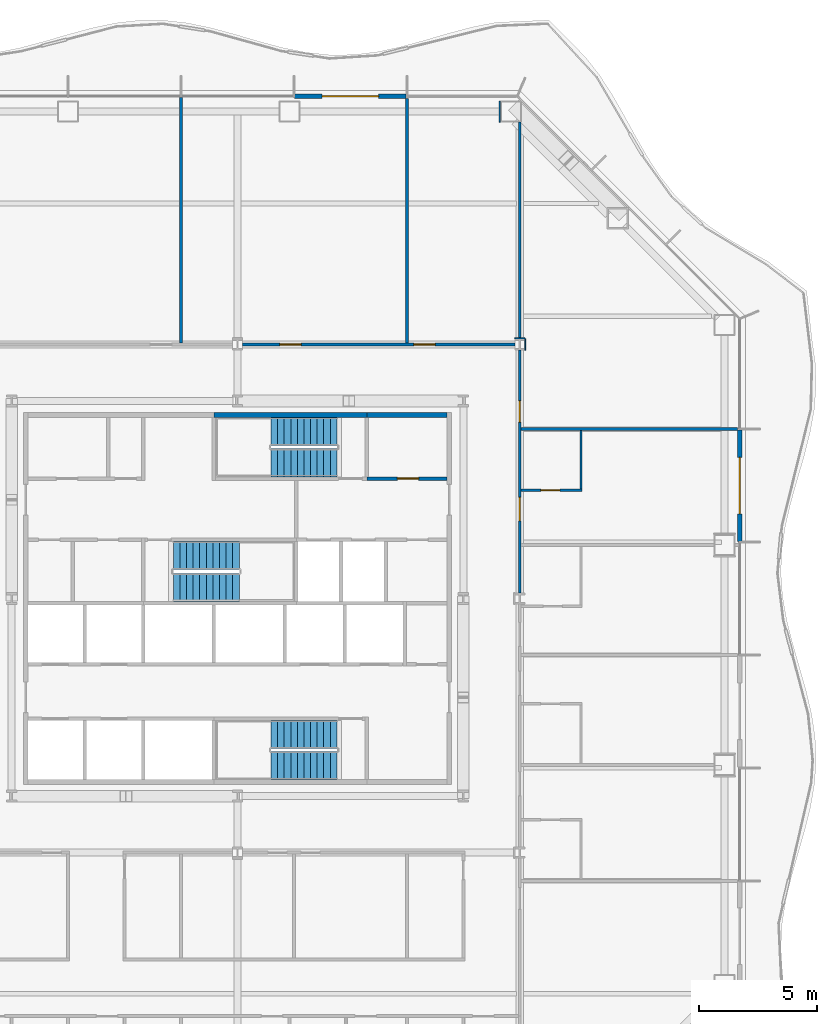
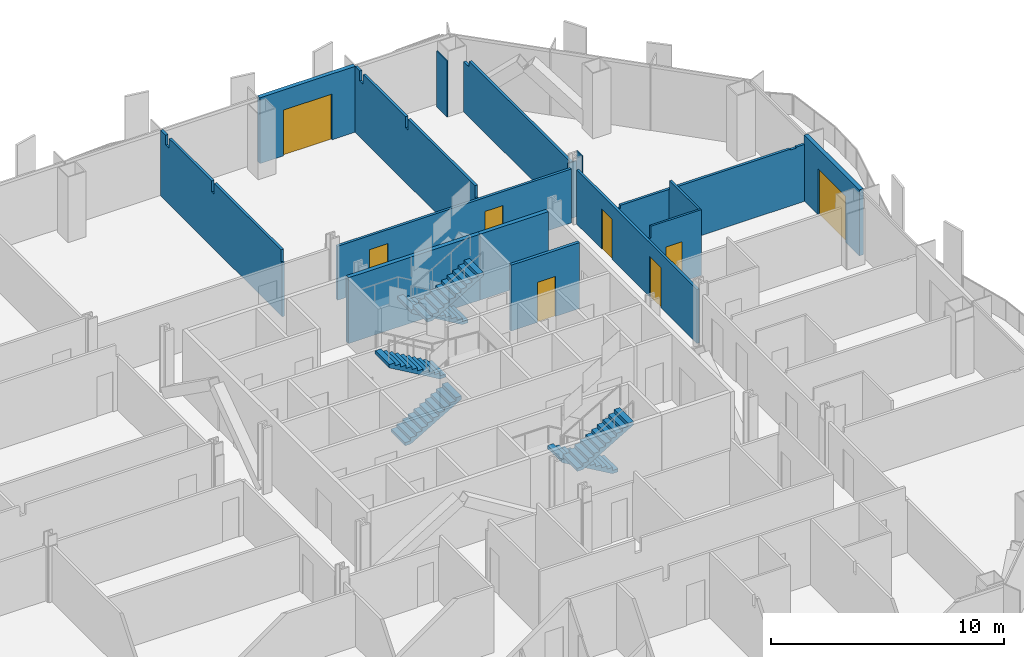
# One storey, part 13 of 20: 16 walls, 8 doors, 6 stair flights, 8 openings, 3 elements without a shape of their own.
"""IFC4 building model written with IfcOpenShell, lengths in metres."""

from ifc_helpers import new_model, si_unit, direction, frame, frame_2d, origin, place, context, subcontext, project, spatial, polyline, rectangle, outline, extrude, material, layer, layer_set, type_object, element, fill, aggregate, save


model = new_model("IFC4")

# Units and contexts
model_context = context("Model", 3, precision=1e-05, world=origin(), true_north=direction((0.0, 1.0)))
body_context = subcontext(model_context, "Body", "Model", "MODEL_VIEW")
ifc_project = project(units=[si_unit("LENGTHUNIT", "METRE"), si_unit("AREAUNIT", "SQUARE_METRE"), si_unit("VOLUMEUNIT", "CUBIC_METRE"), si_unit("PLANEANGLEUNIT", "RADIAN"), si_unit("MASSUNIT", "GRAM", prefix="KILO")], contexts=[model_context])

# Site, building, storey
site_placement = place(None, origin())
site = spatial("IfcSite", under=ifc_project, at=site_placement, CompositionType="ELEMENT")
building_placement = place(site_placement, origin())
building = spatial("IfcBuilding", under=site, at=building_placement, Name="Cairn Pilgrim Tower", CompositionType="ELEMENT")
storey_placement = place(building_placement, frame((0.0, 0.0, 83.39990234375)))
storey = spatial("IfcBuildingStorey", under=building, at=storey_placement, Name="L19", CompositionType="ELEMENT", Elevation=83.39990234375)

# Wall, opening, door
ifc_material_1 = material(Name="Bronze anodised aluminium insulated sandwich panel with mineral wool fill", Category="aluminium")
ifc_layer_1 = layer(ifc_material_1, 0.199951171875)
ifc_layer_set_1 = layer_set([ifc_layer_1], Name="BRONZE INFILL FRAME WALL 200")
wall_type_1 = type_object("IfcWallType", Name="BRONZE INFILL FRAME WALL 200", PredefinedType="NOTDEFINED", material=ifc_layer_set_1)
wall_1_placement = place(storey_placement, frame((28.550048828125, 4.830078125, 0.0), z_axis=(0.0, 0.0, 1.0), x_axis=(0.0, 1.0, 0.0)))
wall_1 = element("IfcWall", 1, at=wall_1_placement, inside=storey, type_object=wall_type_1, Name="Bronze infill frame wall IW-E5", PredefinedType="NOTDEFINED", context=body_context, shape_type="SweptSolid", body=[
    extrude(rectangle(XDim=4.739990234375, YDim=0.199951171875, at=frame_2d((2.3701171875, 0.0))), origin(), (0.0, 0.0, 1.0), 3.4501953125),
])
opening_1_placement = place(wall_1_placement, frame((1.169921875, 0.0, 0.0)))
opening_1 = element("IfcOpeningElement", 2, at=opening_1_placement, cuts=wall_1, Name="Opening 1924B", PredefinedType="OPENING", context=body_context, shape_type="SweptSolid", body=[
    extrude(rectangle(XDim=2.39990234375, YDim=2.39990234375, at=frame_2d((1.199951171875, 1.199951171875))), frame((0.0, 0.10986328125, 0.0), z_axis=(0.0, -1.0, 0.0), x_axis=(1.0, 0.0, 0.0)), (0.0, 0.0, 1.0), 0.219970703125),
])
ifc_material_2 = material(Name="Bronze anodised aluminium frame with tinted low-E glass", Category="aluminium")
door_type_1 = type_object("IfcDoorType", Name="BALCONY SLIDING DOOR 2400x2400", OperationType="DOUBLE_DOOR_SLIDING", PredefinedType="DOOR", material=ifc_material_2)
door_1_placement = place(opening_1_placement, origin())
door_1 = element("IfcDoor", 3, at=door_1_placement, inside=storey, type_object=door_type_1, Name="Balcony sliding door 1924B", OperationType="SINGLE_SWING_LEFT", OverallHeight=2.39990234375, OverallWidth=2.39990234375, PredefinedType="DOOR", context=body_context, shape_type="SweptSolid", body=[
    extrude(rectangle(XDim=2.39990234375, YDim=2.39990234375, at=frame_2d((1.199951171875, 1.199951171875))), frame((0.0, 0.02490234375, 0.0), z_axis=(0.0, -1.0, 0.0), x_axis=(1.0, 0.0, 0.0)), (0.0, 0.0, 1.0), 0.050048828125),
])
fill(opening_1, door_1)

wall_2_placement = place(storey_placement, frame((14.3701171875, 23.75, 0.0), z_axis=(0.0, 0.0, 1.0), x_axis=(-1.0, 0.0, 0.0)))
wall_2 = element("IfcWall", 4, at=wall_2_placement, inside=storey, type_object=wall_type_1, Name="Bronze infill frame wall IW-N2", PredefinedType="NOTDEFINED", context=body_context, shape_type="SweptSolid", body=[
    extrude(rectangle(XDim=4.740234375, YDim=0.199951171875, at=frame_2d((2.3701171875, 0.0))), origin(), (0.0, 0.0, 1.0), 3.4501953125),
])
opening_2_placement = place(wall_2_placement, frame((1.169921875, 0.0, 0.0)))
opening_2 = element("IfcOpeningElement", 5, at=opening_2_placement, cuts=wall_2, Name="Opening 1918B", PredefinedType="OPENING", context=body_context, shape_type="SweptSolid", body=[
    extrude(rectangle(XDim=2.39990234375, YDim=2.39990234375, at=frame_2d((1.199951171875, 1.199951171875))), frame((0.0, 0.10986328125, 0.0), z_axis=(0.0, -1.0, 0.0), x_axis=(1.0, 0.0, 0.0)), (0.0, 0.0, 1.0), 0.219970703125),
])
door_2_placement = place(opening_2_placement, origin())
door_2 = element("IfcDoor", 6, at=door_2_placement, inside=storey, type_object=door_type_1, Name="Balcony sliding door 1918B", OperationType="SINGLE_SWING_LEFT", OverallHeight=2.39990234375, OverallWidth=2.39990234375, PredefinedType="DOOR", context=body_context, shape_type="SweptSolid", body=[
    extrude(rectangle(XDim=2.39990234375, YDim=2.39990234375, at=frame_2d((1.199951171875, 1.199951171875))), frame((0.0, 0.02490234375, 0.0), z_axis=(0.0, -1.0, 0.0), x_axis=(1.0, 0.0, 0.0)), (0.0, 0.0, 1.0), 0.050048828125),
])
fill(opening_2, door_2)

# Wall
ifc_material_3 = material(Name="Concrete C32/40", Category="concrete")
ifc_layer_2 = layer(ifc_material_3, 0.199951171875)
ifc_layer_set_2 = layer_set([ifc_layer_2], Name="CORE OUTER WALL 200 EI 120")
wall_type_2 = type_object("IfcWallType", Name="CORE OUTER WALL 200 EI 120", PredefinedType="SOLIDWALL", material=ifc_layer_set_2)
wall_3_placement = place(storey_placement, frame((12.699951171875, 10.199951171875, 0.0), z_axis=(0.0, 0.0, 1.0), x_axis=(1.0, 0.0, 0.0)))
element("IfcWall", 7, at=wall_3_placement, inside=storey, type_object=wall_type_2, Name="CW:L19:H11-3", PredefinedType="SOLIDWALL", context=body_context, shape_type="SweptSolid", body=[
    extrude(rectangle(XDim=3.400146484375, YDim=0.199951171875, at=frame_2d((1.7001953125, 0.0))), origin(), (0.0, 0.0, 1.0), 3.4501953125),
])

# Wall, opening, door
ifc_layer_3 = layer(ifc_material_3, 0.14990234375)
ifc_layer_set_3 = layer_set([ifc_layer_3], Name="CORE SHAFT WALL 150 EI 120")
wall_type_3 = type_object("IfcWallType", Name="CORE SHAFT WALL 150 EI 120", PredefinedType="SOLIDWALL", material=ifc_layer_set_3)
wall_4_placement = place(storey_placement, frame((12.699951171875, 7.5, 0.0), z_axis=(0.0, 0.0, 1.0), x_axis=(1.0, 0.0, 0.0)))
wall_4 = element("IfcWall", 8, at=wall_4_placement, inside=storey, type_object=wall_type_3, Name="CW:L19:H10-2", PredefinedType="SOLIDWALL", context=body_context, shape_type="SweptSolid", body=[
    extrude(rectangle(XDim=3.400146484375, YDim=0.14990234375, at=frame_2d((1.7001953125, 0.0))), origin(), (0.0, 0.0, 1.0), 3.4501953125),
])
opening_3_placement = place(wall_4_placement, frame((1.300048828125, 0.0, 0.0)))
opening_3 = element("IfcOpeningElement", 9, at=opening_3_placement, cuts=wall_4, Name="Opening RD-R4E", PredefinedType="OPENING", context=body_context, shape_type="SweptSolid", body=[
    extrude(rectangle(XDim=0.89990234375, YDim=2.10009765625, at=frame_2d((0.449951171875, 1.050048828125))), frame((0.0, 0.0849609375, 0.0), z_axis=(0.0, -1.0, 0.0), x_axis=(1.0, 0.0, 0.0)), (0.0, 0.0, 1.0), 0.169921875),
])
ifc_material_4 = material(Name="Painted steel", Category="steel")
door_type_2 = type_object("IfcDoorType", Name="SERVICE ROOM DOOR 900x2100", OperationType="SINGLE_SWING_LEFT", PredefinedType="DOOR", material=ifc_material_4)
door_3_placement = place(opening_3_placement, origin())
door_3 = element("IfcDoor", 10, at=door_3_placement, inside=storey, type_object=door_type_2, Name="RD-R4E", OperationType="SINGLE_SWING_RIGHT", OverallHeight=2.10009765625, OverallWidth=0.89990234375, PredefinedType="DOOR", context=body_context, shape_type="SweptSolid", body=[
    extrude(rectangle(XDim=0.89990234375, YDim=2.10009765625, at=frame_2d((0.449951171875, 1.050048828125))), frame((0.0, 0.02490234375, 0.0), z_axis=(0.0, -1.0, 0.0), x_axis=(1.0, 0.0, 0.0)), (0.0, 0.0, 1.0), 0.050048828125),
])
fill(opening_3, door_3)

ifc_material_5 = material(Name="Gypsum partition")
ifc_layer_4 = layer(ifc_material_5, 0.10009765625)
ifc_layer_set_4 = layer_set([ifc_layer_4], Name="PARTITION 100 DRYWALL")
wall_type_4 = type_object("IfcWallType", Name="PARTITION 100 DRYWALL", PredefinedType="PARTITIONING", material=ifc_layer_set_4)
wall_5_placement = place(storey_placement, frame((19.262451171875, 7.0, 0.0), z_axis=(0.0, 0.0, 1.0), x_axis=(1.0, 0.0, 0.0)))
wall_5 = element("IfcWall", 11, at=wall_5_placement, inside=storey, type_object=wall_type_4, Name="PARTITION W070", PredefinedType="PARTITIONING", context=body_context, shape_type="SweptSolid", body=[
    extrude(outline(polyline([(0.0, 0.0), (2.587646484375, 0.0), (2.58740234375, 3.4501953125), (0.08740234375, 3.4501953125), (0.08544921875, 2.830078125), (0.0, 2.830078125), (0.0, 0.0)])), frame((0.0, 0.050048828125, 0.0), z_axis=(0.0, -1.0, 0.0), x_axis=(1.0, 0.0, 0.0)), (0.0, 0.0, 1.0), 0.10009765625),
])
opening_4_placement = place(wall_5_placement, frame((0.83740234375, 0.0, 0.0)))
opening_4 = element("IfcOpeningElement", 12, at=opening_4_placement, cuts=wall_5, Name="Opening 1924E", PredefinedType="OPENING", context=body_context, shape_type="SweptSolid", body=[
    extrude(rectangle(XDim=0.800048828125, YDim=2.10009765625, at=frame_2d((0.39990234375, 1.050048828125))), frame((0.0, 0.06005859375, 0.0), z_axis=(0.0, -1.0, 0.0), x_axis=(1.0, 0.0, 0.0)), (0.0, 0.0, 1.0), 0.1201171875),
])
ifc_material_6 = material(Name="Timber door leaf", Category="wood")
door_type_3 = type_object("IfcDoorType", Name="DOOR 800x2100", OperationType="NOTDEFINED", PredefinedType="DOOR", material=ifc_material_6)
door_4_placement = place(opening_4_placement, origin())
door_4 = element("IfcDoor", 13, at=door_4_placement, inside=storey, type_object=door_type_3, Name="DOOR 1924E", OperationType="SINGLE_SWING_LEFT", OverallHeight=2.10009765625, OverallWidth=0.800048828125, PredefinedType="DOOR", context=body_context, shape_type="SweptSolid", body=[
    extrude(rectangle(XDim=0.800048828125, YDim=2.10009765625, at=frame_2d((0.39990234375, 1.050048828125))), frame((0.0, 0.02490234375, 0.0), z_axis=(0.0, -1.0, 0.0), x_axis=(1.0, 0.0, 0.0)), (0.0, 0.0, 1.0), 0.050048828125),
])
fill(opening_4, door_4)

# Wall
wall_6_placement = place(storey_placement, frame((21.800048828125, 7.050048828125, 0.0), z_axis=(0.0, 0.0, 1.0), x_axis=(0.0, 1.0, 0.0)))
element("IfcWall", 14, at=wall_6_placement, inside=storey, type_object=wall_type_4, Name="PARTITION W071", PredefinedType="PARTITIONING", context=body_context, shape_type="SweptSolid", body=[
    extrude(outline(polyline([(0.0, 0.0), (2.487548828125, 0.0), (2.487548828125, 2.97998046875), (2.455078125, 2.97998046875), (2.452880859375, 3.4501953125), (0.0, 3.4501953125), (0.0, 0.0)])), frame((0.0, 0.050048828125, 0.0), z_axis=(0.0, -1.0, 0.0), x_axis=(1.0, 0.0, 0.0)), (0.0, 0.0, 1.0), 0.10009765625),
])

# Wall, openings, doors
ifc_layer_5 = layer(ifc_material_5, 0.125)
ifc_layer_set_5 = layer_set([ifc_layer_5], Name="PARTITION 125 DRYWALL EI 60")
wall_type_5 = type_object("IfcWallType", Name="PARTITION 125 DRYWALL EI 60", PredefinedType="PARTITIONING", material=ifc_layer_set_5)
wall_7_placement = place(storey_placement, frame((19.199951171875, 2.636962890625, 0.0), z_axis=(0.0, 0.0, 1.0), x_axis=(0.0, 1.0, 0.0)))
wall_7 = element("IfcWall", 15, at=wall_7_placement, inside=storey, type_object=wall_type_5, Name="PARTITION W065", PredefinedType="PARTITIONING", context=body_context, shape_type="SweptSolid", body=[
    extrude(rectangle(XDim=10.325927734375, YDim=0.125, at=frame_2d((5.1630859375, 0.0))), origin(), (0.0, 0.0, 1.0), 2.830078125),
])
opening_5_placement = place(wall_7_placement, frame((3.06298828125, 0.0, 0.0)))
opening_5 = element("IfcOpeningElement", 16, at=opening_5_placement, cuts=wall_7, Name="Opening 1924", PredefinedType="OPENING", context=body_context, shape_type="SweptSolid", body=[
    extrude(rectangle(XDim=1.0, YDim=2.10009765625, at=frame_2d((0.5, 1.050048828125))), frame((0.0, 0.072509765625, 0.0), z_axis=(0.0, -1.0, 0.0), x_axis=(1.0, 0.0, 0.0)), (0.0, 0.0, 1.0), 0.14501953125),
])
opening_6_placement = place(wall_7_placement, frame((7.262939453125, 0.0, 0.0)))
opening_6 = element("IfcOpeningElement", 17, at=opening_6_placement, cuts=wall_7, Name="Opening 1925", PredefinedType="OPENING", context=body_context, shape_type="SweptSolid", body=[
    extrude(rectangle(XDim=0.89990234375, YDim=2.10009765625, at=frame_2d((0.449951171875, 1.050048828125))), frame((0.0, 0.072509765625, 0.0), z_axis=(0.0, -1.0, 0.0), x_axis=(1.0, 0.0, 0.0)), (0.0, 0.0, 1.0), 0.14501953125),
])
door_type_4 = type_object("IfcDoorType", Name="ACCESSIBLE DOOR 1000x2100 FD30S", OperationType="NOTDEFINED", PredefinedType="DOOR", material=ifc_material_6)
door_5_placement = place(opening_5_placement, frame((1.0, 0.0, 0.0), z_axis=(0.0, 0.0, 1.0), x_axis=(-1.0, 0.0, 0.0)))
door_5 = element("IfcDoor", 18, at=door_5_placement, inside=storey, type_object=door_type_4, Name="DOOR 1924", OperationType="SINGLE_SWING_RIGHT", OverallHeight=2.10009765625, OverallWidth=1.0, PredefinedType="DOOR", context=body_context, shape_type="SweptSolid", body=[
    extrude(rectangle(XDim=1.0, YDim=2.10009765625, at=frame_2d((0.5, 1.050048828125))), frame((0.0, 0.02490234375, 0.0), z_axis=(0.0, -1.0, 0.0), x_axis=(1.0, 0.0, 0.0)), (0.0, 0.0, 1.0), 0.050048828125),
])
fill(opening_5, door_5)
ifc_material_7 = material(Name="Steel-faced fire door leaf", Category="steel")
door_type_5 = type_object("IfcDoorType", Name="FIRE DOOR 900x2100 FD30S", OperationType="NOTDEFINED", PredefinedType="DOOR", material=ifc_material_7)
door_6_placement = place(opening_6_placement, frame((0.89990234375, 0.0, 0.0), z_axis=(0.0, 0.0, 1.0), x_axis=(-1.0, 0.0, 0.0)))
door_6 = element("IfcDoor", 19, at=door_6_placement, inside=storey, type_object=door_type_5, Name="DOOR 1925", OperationType="SINGLE_SWING_RIGHT", OverallHeight=2.10009765625, OverallWidth=0.89990234375, PredefinedType="DOOR", context=body_context, shape_type="SweptSolid", body=[
    extrude(rectangle(XDim=0.89990234375, YDim=2.10009765625, at=frame_2d((0.449951171875, 1.050048828125))), frame((0.0, 0.02490234375, 0.0), z_axis=(0.0, -1.0, 0.0), x_axis=(1.0, 0.0, 0.0)), (0.0, 0.0, 1.0), 0.050048828125),
])
fill(opening_6, door_6)

# Wall
wall_8_placement = place(storey_placement, frame((19.262451171875, 9.60009765625, 0.0), z_axis=(0.0, 0.0, 1.0), x_axis=(1.0, 0.0, 0.0)))
element("IfcWall", 20, at=wall_8_placement, inside=storey, type_object=wall_type_5, Name="PARTITION W073", PredefinedType="PARTITIONING", context=body_context, shape_type="SweptSolid", body=[
    extrude(outline(polyline([(0.0, 0.0), (9.1875, 0.0), (9.1875, 2.97998046875), (8.78759765625, 2.97998046875), (8.785400390625, 2.93017578125), (8.487548828125, 2.93017578125), (8.485595703125, 2.97998046875), (0.08740234375, 2.97998046875), (0.08544921875, 2.830078125), (0.0, 2.830078125), (0.0, 0.0)])), frame((0.0, 0.0625, 0.0), z_axis=(0.0, -1.0, 0.0), x_axis=(1.0, 0.0, 0.0)), (0.0, 0.0, 1.0), 0.125),
])

# Wall, openings, doors
wall_9_placement = place(storey_placement, frame((7.412109375, 13.199951171875, 0.0), z_axis=(0.0, 0.0, 1.0), x_axis=(1.0, 0.0, 0.0)))
wall_9 = element("IfcWall", 21, at=wall_9_placement, inside=storey, type_object=wall_type_5, Name="PARTITION W078", PredefinedType="PARTITIONING", context=body_context, shape_type="SweptSolid", body=[
    extrude(rectangle(XDim=11.575927734375, YDim=0.125, at=frame_2d((5.7880859375, 0.0))), origin(), (0.0, 0.0, 1.0), 2.830078125),
])
opening_7_placement = place(wall_9_placement, frame((1.587890625, 0.0, 0.0)))
opening_7 = element("IfcOpeningElement", 22, at=opening_7_placement, cuts=wall_9, Name="Opening 1918", PredefinedType="OPENING", context=body_context, shape_type="SweptSolid", body=[
    extrude(rectangle(XDim=0.89990234375, YDim=2.10009765625, at=frame_2d((0.449951171875, 1.050048828125))), frame((0.0, 0.072509765625, 0.0), z_axis=(0.0, -1.0, 0.0), x_axis=(1.0, 0.0, 0.0)), (0.0, 0.0, 1.0), 0.14501953125),
])
opening_8_placement = place(wall_9_placement, frame((7.2880859375, 0.0, 0.0)))
opening_8 = element("IfcOpeningElement", 23, at=opening_8_placement, cuts=wall_9, Name="Opening 1919", PredefinedType="OPENING", context=body_context, shape_type="SweptSolid", body=[
    extrude(rectangle(XDim=0.89990234375, YDim=2.10009765625, at=frame_2d((0.449951171875, 1.050048828125))), frame((0.0, 0.072509765625, 0.0), z_axis=(0.0, -1.0, 0.0), x_axis=(1.0, 0.0, 0.0)), (0.0, 0.0, 1.0), 0.14501953125),
])
door_7_placement = place(opening_7_placement, origin())
door_7 = element("IfcDoor", 24, at=door_7_placement, inside=storey, type_object=door_type_5, Name="DOOR 1918", OperationType="SINGLE_SWING_LEFT", OverallHeight=2.10009765625, OverallWidth=0.89990234375, PredefinedType="DOOR", context=body_context, shape_type="SweptSolid", body=[
    extrude(rectangle(XDim=0.89990234375, YDim=2.10009765625, at=frame_2d((0.449951171875, 1.050048828125))), frame((0.0, 0.02490234375, 0.0), z_axis=(0.0, -1.0, 0.0), x_axis=(1.0, 0.0, 0.0)), (0.0, 0.0, 1.0), 0.050048828125),
])
fill(opening_7, door_7)
door_8_placement = place(opening_8_placement, origin())
door_8 = element("IfcDoor", 25, at=door_8_placement, inside=storey, type_object=door_type_5, Name="DOOR 1919", OperationType="SINGLE_SWING_RIGHT", OverallHeight=2.10009765625, OverallWidth=0.89990234375, PredefinedType="DOOR", context=body_context, shape_type="SweptSolid", body=[
    extrude(rectangle(XDim=0.89990234375, YDim=2.10009765625, at=frame_2d((0.449951171875, 1.050048828125))), frame((0.0, 0.02490234375, 0.0), z_axis=(0.0, -1.0, 0.0), x_axis=(1.0, 0.0, 0.0)), (0.0, 0.0, 1.0), 0.050048828125),
])
fill(opening_8, door_8)

# Walls
wall_10_placement = place(storey_placement, frame((4.800048828125, 13.262451171875, 0.0), z_axis=(0.0, 0.0, 1.0), x_axis=(0.0, 1.0, 0.0)))
element("IfcWall", 26, at=wall_10_placement, inside=storey, type_object=wall_type_5, Name="PARTITION W081", PredefinedType="PARTITIONING", context=body_context, shape_type="SweptSolid", body=[
    extrude(outline(polyline([(0.0, 0.0), (10.427490234375, 0.0), (10.427490234375, 3.4501953125), (9.987548828125, 3.4501953125), (9.985595703125, 2.93017578125), (9.6875, 2.93017578125), (9.685546875, 3.4501953125), (6.04248046875, 3.4501953125), (6.04052734375, 2.880126953125), (5.83251953125, 2.880126953125), (5.83056640625, 3.4501953125), (0.08740234375, 3.4501953125), (0.08544921875, 2.830078125), (0.0, 2.830078125), (0.0, 0.0)])), frame((0.0, 0.0625, 0.0), z_axis=(0.0, -1.0, 0.0), x_axis=(1.0, 0.0, 0.0)), (0.0, 0.0, 1.0), 0.125),
])
wall_11_placement = place(storey_placement, frame((14.39990234375, 13.262451171875, 0.0), z_axis=(0.0, 0.0, 1.0), x_axis=(0.0, 1.0, 0.0)))
element("IfcWall", 27, at=wall_11_placement, inside=storey, type_object=wall_type_5, Name="PARTITION W082", PredefinedType="PARTITIONING", context=body_context, shape_type="SweptSolid", body=[
    extrude(outline(polyline([(0.0, 0.0), (10.387451171875, 0.0), (10.387451171875, 3.4501953125), (9.987548828125, 3.4501953125), (9.985595703125, 2.93017578125), (9.6875, 2.93017578125), (9.685546875, 3.4501953125), (6.04248046875, 3.4501953125), (6.04052734375, 2.880126953125), (5.83251953125, 2.880126953125), (5.83056640625, 3.4501953125), (0.08740234375, 3.4501953125), (0.08544921875, 2.830078125), (0.0, 2.830078125), (0.0, 0.0)])), frame((0.0, 0.0625, 0.0), z_axis=(0.0, -1.0, 0.0), x_axis=(1.0, 0.0, 0.0)), (0.0, 0.0, 1.0), 0.125),
])
wall_12_placement = place(storey_placement, frame((19.199951171875, 13.43701171875, 0.0), z_axis=(0.0, 0.0, 1.0), x_axis=(0.0, 1.0, 0.0)))
element("IfcWall", 28, at=wall_12_placement, inside=storey, type_object=wall_type_5, Name="PARTITION W084", PredefinedType="PARTITIONING", context=body_context, shape_type="SweptSolid", body=[
    extrude(outline(polyline([(0.0, 0.0), (9.212890625, 0.0), (9.212890625, 2.630126953125), (8.732666015625, 2.630126953125), (8.730712890625, 2.93017578125), (0.0, 2.93017578125), (0.0, 0.0)])), frame((0.0, 0.0625, 0.0), z_axis=(0.0, -1.0, 0.0), x_axis=(1.0, 0.0, 0.0)), (0.0, 0.0, 1.0), 0.125),
])
ifc_layer_6 = layer(ifc_material_5, 0.050048828125)
ifc_layer_set_6 = layer_set([ifc_layer_6], Name="PARTITION 50 DRYWALL EI 60")
wall_type_6 = type_object("IfcWallType", Name="PARTITION 50 DRYWALL EI 60", PredefinedType="PARTITIONING", material=ifc_layer_set_6)
wall_13_placement = place(storey_placement, frame((19.43701171875, 12.962890625, 0.0), z_axis=(0.0, 0.0, 1.0), x_axis=(0.0, 1.0, 0.0)))
element("IfcWall", 29, at=wall_13_placement, inside=storey, type_object=wall_type_6, Name="COLUMN CASING WC11", PredefinedType="PARTITIONING", context=body_context, shape_type="SweptSolid", body=[
    extrude(rectangle(XDim=0.47412109375, YDim=0.050048828125, at=frame_2d((0.237060546875, 0.0))), origin(), (0.0, 0.0, 1.0), 3.4501953125),
])
wall_14_placement = place(storey_placement, frame((18.988037109375, 13.4619140625, 0.0), z_axis=(0.0, 0.0, 1.0), x_axis=(1.0, 0.0, 0.0)))
element("IfcWall", 30, at=wall_14_placement, inside=storey, type_object=wall_type_6, Name="COLUMN CASING WC32", PredefinedType="PARTITIONING", context=body_context, shape_type="SweptSolid", body=[
    extrude(rectangle(XDim=0.424072265625, YDim=0.050048828125, at=frame_2d((0.2119140625, 0.0))), origin(), (0.0, 0.0, 1.0), 2.93017578125),
])
wall_15_placement = place(storey_placement, frame((18.352294921875, 22.64990234375, 0.0), z_axis=(0.0, 0.0, 1.0), x_axis=(0.0, 1.0, 0.0)))
element("IfcWall", 31, at=wall_15_placement, inside=storey, type_object=wall_type_6, Name="COLUMN CASING WC33", PredefinedType="PARTITIONING", context=body_context, shape_type="SweptSolid", body=[
    extrude(rectangle(XDim=0.900146484375, YDim=0.050048828125, at=frame_2d((0.4501953125, 0.0))), origin(), (0.0, 0.0, 1.0), 2.93017578125),
])
ifc_material_8 = material(Name="Concrete C35/45", Category="concrete")
ifc_layer_7 = layer(ifc_material_8, 0.199951171875)
ifc_layer_set_7 = layer_set([ifc_layer_7], Name="STAIR SHAFT WALL 200 EI 120")
wall_type_7 = type_object("IfcWallType", Name="STAIR SHAFT WALL 200 EI 120", PredefinedType="SOLIDWALL", material=ifc_layer_set_7)
wall_16_placement = place(storey_placement, frame((6.199951171875, 10.199951171875, 0.0), z_axis=(0.0, 0.0, 1.0), x_axis=(1.0, 0.0, 0.0)))
element("IfcWall", 32, at=wall_16_placement, inside=storey, type_object=wall_type_7, Name="CW:L19:H11-2", PredefinedType="SOLIDWALL", context=body_context, shape_type="SweptSolid", body=[
    extrude(rectangle(XDim=6.5, YDim=0.199951171875, at=frame_2d((3.25, 0.0))), origin(), (0.0, 0.0, 1.0), 3.4501953125),
])

# Stair, stair flights
stair_type = type_object("IfcStairType", Name="EXIT STAIR 1200", PredefinedType="HALF_TURN_STAIR", material=ifc_material_3)
stair_1_placement = place(storey_placement, origin())
stair_1 = element("IfcStair", 33, at=stair_1_placement, inside=storey, type_object=stair_type, Name="L19 Exit Stair A", PredefinedType="HALF_TURN_STAIR")
stair_flight_type = type_object("IfcStairFlightType", Name="STAIR FLIGHT 1200", PredefinedType="STRAIGHT", material=ifc_material_3)
stair_flight_1_placement = place(storey_placement, frame((11.425048828125, -3.375, 0.0), z_axis=(0.0, 0.0, 1.0), x_axis=(-1.0, 0.0, 0.0)))
stair_flight_1 = element("IfcStairFlight", 34, at=stair_flight_1_placement, type_object=stair_flight_type, Name="ST-A flight 1", NumberOfRisers=11, NumberOfTreads=10, PredefinedType="STRAIGHT", RiserHeight=0.163636364, TreadLength=0.28, context=body_context, shape_type="SweptSolid", body=[
    extrude(outline(polyline([(0.0, 0.0), (0.0, 0.16357421875), (0.280029296875, 0.16357421875), (0.280029296875, 0.327392578125), (0.56005859375, 0.327392578125), (0.56005859375, 0.490966796875), (0.840087890625, 0.490966796875), (0.840087890625, 0.654541015625), (1.1201171875, 0.654541015625), (1.1201171875, 0.818115234375), (1.39990234375, 0.818115234375), (1.39990234375, 0.98193359375), (1.679931640625, 0.98193359375), (1.679931640625, 1.1455078125), (1.9599609375, 1.1455078125), (1.9599609375, 1.30908203125), (2.239990234375, 1.30908203125), (2.239990234375, 1.47265625), (2.52001953125, 1.47265625), (2.52001953125, 1.636474609375), (2.800048828125, 1.636474609375), (2.800048828125, 1.800048828125), (2.800048828125, 1.462646484375), (0.297119140625, 0.0), (0.0, 0.0)])), frame((0.0, 0.60009765625, 0.0), z_axis=(0.0, -1.0, 0.0), x_axis=(1.0, 0.0, 0.0)), (0.0, 0.0, 1.0), 1.199951171875),
])
stair_flight_2_placement = place(storey_placement, frame((8.625, -4.699951171875, 1.800048828125), z_axis=(0.0, 0.0, 1.0), x_axis=(1.0, 0.0, 0.0)))
stair_flight_2 = element("IfcStairFlight", 35, at=stair_flight_2_placement, type_object=stair_flight_type, Name="ST-A flight 2", NumberOfRisers=11, NumberOfTreads=10, PredefinedType="STRAIGHT", RiserHeight=0.163636364, TreadLength=0.28, context=body_context, shape_type="SweptSolid", body=[
    extrude(outline(polyline([(0.0, 0.0), (0.0, 0.16357421875), (0.280029296875, 0.16357421875), (0.280029296875, 0.327392578125), (0.56005859375, 0.327392578125), (0.56005859375, 0.490966796875), (0.840087890625, 0.490966796875), (0.840087890625, 0.654541015625), (1.1201171875, 0.654541015625), (1.1201171875, 0.818115234375), (1.39990234375, 0.818115234375), (1.39990234375, 0.98193359375), (1.679931640625, 0.98193359375), (1.679931640625, 1.1455078125), (1.9599609375, 1.1455078125), (1.9599609375, 1.30908203125), (2.239990234375, 1.30908203125), (2.239990234375, 1.47265625), (2.52001953125, 1.47265625), (2.52001953125, 1.636474609375), (2.800048828125, 1.636474609375), (2.800048828125, 1.800048828125), (2.800048828125, 1.462646484375), (0.297119140625, 0.0), (0.0, 0.0)])), frame((0.0, 0.60009765625, 0.0), z_axis=(0.0, -1.0, 0.0), x_axis=(1.0, 0.0, 0.0)), (0.0, 0.0, 1.0), 1.199951171875),
])
aggregate(stair_1, [stair_flight_1, stair_flight_2])

stair_2_placement = place(storey_placement, origin())
stair_2 = element("IfcStair", 36, at=stair_2_placement, inside=storey, type_object=stair_type, Name="L19 Exit Stair B", PredefinedType="HALF_TURN_STAIR")
stair_flight_3_placement = place(storey_placement, frame((4.47509765625, 2.875, 0.0), z_axis=(0.0, 0.0, 1.0), x_axis=(1.0, 0.0, 0.0)))
stair_flight_3 = element("IfcStairFlight", 37, at=stair_flight_3_placement, type_object=stair_flight_type, Name="ST-B flight 1", NumberOfRisers=11, NumberOfTreads=10, PredefinedType="STRAIGHT", RiserHeight=0.163636364, TreadLength=0.28, context=body_context, shape_type="SweptSolid", body=[
    extrude(outline(polyline([(0.0, 0.0), (0.0, 0.16357421875), (0.280029296875, 0.16357421875), (0.280029296875, 0.327392578125), (0.56005859375, 0.327392578125), (0.56005859375, 0.490966796875), (0.840087890625, 0.490966796875), (0.840087890625, 0.654541015625), (1.1201171875, 0.654541015625), (1.1201171875, 0.818115234375), (1.39990234375, 0.818115234375), (1.39990234375, 0.98193359375), (1.679931640625, 0.98193359375), (1.679931640625, 1.1455078125), (1.9599609375, 1.1455078125), (1.9599609375, 1.30908203125), (2.239990234375, 1.30908203125), (2.239990234375, 1.47265625), (2.52001953125, 1.47265625), (2.52001953125, 1.636474609375), (2.800048828125, 1.636474609375), (2.800048828125, 1.800048828125), (2.800048828125, 1.462646484375), (0.297119140625, 0.0), (0.0, 0.0)])), frame((0.0, 0.60009765625, 0.0), z_axis=(0.0, -1.0, 0.0), x_axis=(1.0, 0.0, 0.0)), (0.0, 0.0, 1.0), 1.199951171875),
])
stair_flight_4_placement = place(storey_placement, frame((7.27490234375, 4.22509765625, 1.800048828125), z_axis=(0.0, 0.0, 1.0), x_axis=(-1.0, 0.0, 0.0)))
stair_flight_4 = element("IfcStairFlight", 38, at=stair_flight_4_placement, type_object=stair_flight_type, Name="ST-B flight 2", NumberOfRisers=11, NumberOfTreads=10, PredefinedType="STRAIGHT", RiserHeight=0.163636364, TreadLength=0.28, context=body_context, shape_type="SweptSolid", body=[
    extrude(outline(polyline([(0.0, 0.0), (0.0, 0.16357421875), (0.280029296875, 0.16357421875), (0.280029296875, 0.327392578125), (0.56005859375, 0.327392578125), (0.56005859375, 0.490966796875), (0.840087890625, 0.490966796875), (0.840087890625, 0.654541015625), (1.1201171875, 0.654541015625), (1.1201171875, 0.818115234375), (1.39990234375, 0.818115234375), (1.39990234375, 0.98193359375), (1.679931640625, 0.98193359375), (1.679931640625, 1.1455078125), (1.9599609375, 1.1455078125), (1.9599609375, 1.30908203125), (2.239990234375, 1.30908203125), (2.239990234375, 1.47265625), (2.52001953125, 1.47265625), (2.52001953125, 1.636474609375), (2.800048828125, 1.636474609375), (2.800048828125, 1.800048828125), (2.800048828125, 1.462646484375), (0.297119140625, 0.0), (0.0, 0.0)])), frame((0.0, 0.60009765625, 0.0), z_axis=(0.0, -1.0, 0.0), x_axis=(1.0, 0.0, 0.0)), (0.0, 0.0, 1.0), 1.199951171875),
])
aggregate(stair_2, [stair_flight_3, stair_flight_4])

stair_3_placement = place(storey_placement, origin())
stair_3 = element("IfcStair", 39, at=stair_3_placement, inside=storey, type_object=stair_type, Name="L19 Exit Stair C", PredefinedType="HALF_TURN_STAIR")
stair_flight_5_placement = place(storey_placement, frame((11.425048828125, 9.5, 0.0), z_axis=(0.0, 0.0, 1.0), x_axis=(-1.0, 0.0, 0.0)))
stair_flight_5 = element("IfcStairFlight", 40, at=stair_flight_5_placement, type_object=stair_flight_type, Name="ST-C flight 1", NumberOfRisers=11, NumberOfTreads=10, PredefinedType="STRAIGHT", RiserHeight=0.163636364, TreadLength=0.28, context=body_context, shape_type="SweptSolid", body=[
    extrude(outline(polyline([(0.0, 0.0), (0.0, 0.16357421875), (0.280029296875, 0.16357421875), (0.280029296875, 0.327392578125), (0.56005859375, 0.327392578125), (0.56005859375, 0.490966796875), (0.840087890625, 0.490966796875), (0.840087890625, 0.654541015625), (1.1201171875, 0.654541015625), (1.1201171875, 0.818115234375), (1.39990234375, 0.818115234375), (1.39990234375, 0.98193359375), (1.679931640625, 0.98193359375), (1.679931640625, 1.1455078125), (1.9599609375, 1.1455078125), (1.9599609375, 1.30908203125), (2.239990234375, 1.30908203125), (2.239990234375, 1.47265625), (2.52001953125, 1.47265625), (2.52001953125, 1.636474609375), (2.800048828125, 1.636474609375), (2.800048828125, 1.800048828125), (2.800048828125, 1.462646484375), (0.297119140625, 0.0), (0.0, 0.0)])), frame((0.0, 0.60009765625, 0.0), z_axis=(0.0, -1.0, 0.0), x_axis=(1.0, 0.0, 0.0)), (0.0, 0.0, 1.0), 1.199951171875),
])
stair_flight_6_placement = place(storey_placement, frame((8.625, 8.175048828125, 1.800048828125), z_axis=(0.0, 0.0, 1.0), x_axis=(1.0, 0.0, 0.0)))
stair_flight_6 = element("IfcStairFlight", 41, at=stair_flight_6_placement, type_object=stair_flight_type, Name="ST-C flight 2", NumberOfRisers=11, NumberOfTreads=10, PredefinedType="STRAIGHT", RiserHeight=0.163636364, TreadLength=0.28, context=body_context, shape_type="SweptSolid", body=[
    extrude(outline(polyline([(0.0, 0.0), (0.0, 0.16357421875), (0.280029296875, 0.16357421875), (0.280029296875, 0.327392578125), (0.56005859375, 0.327392578125), (0.56005859375, 0.490966796875), (0.840087890625, 0.490966796875), (0.840087890625, 0.654541015625), (1.1201171875, 0.654541015625), (1.1201171875, 0.818115234375), (1.39990234375, 0.818115234375), (1.39990234375, 0.98193359375), (1.679931640625, 0.98193359375), (1.679931640625, 1.1455078125), (1.9599609375, 1.1455078125), (1.9599609375, 1.30908203125), (2.239990234375, 1.30908203125), (2.239990234375, 1.47265625), (2.52001953125, 1.47265625), (2.52001953125, 1.636474609375), (2.800048828125, 1.636474609375), (2.800048828125, 1.800048828125), (2.800048828125, 1.462646484375), (0.297119140625, 0.0), (0.0, 0.0)])), frame((0.0, 0.60009765625, 0.0), z_axis=(0.0, -1.0, 0.0), x_axis=(1.0, 0.0, 0.0)), (0.0, 0.0, 1.0), 1.199951171875),
])
aggregate(stair_3, [stair_flight_5, stair_flight_6])

save(model, "model.ifc")
